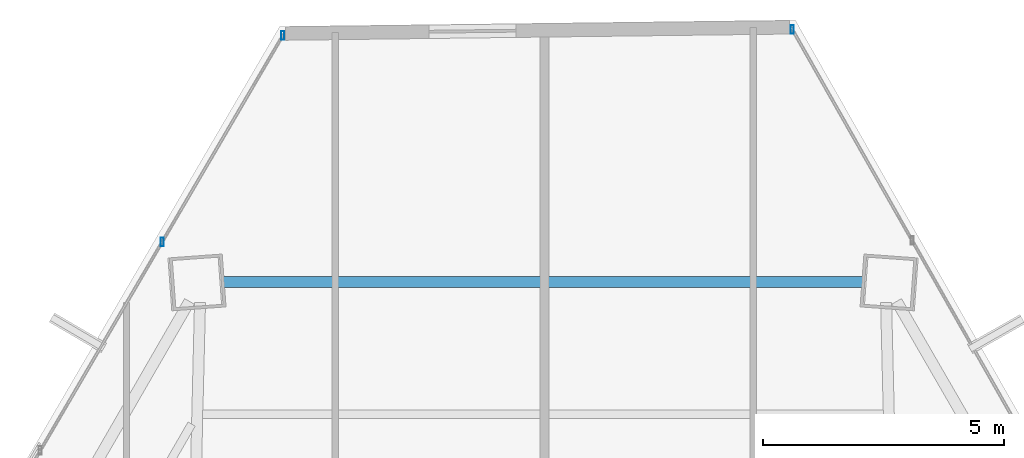
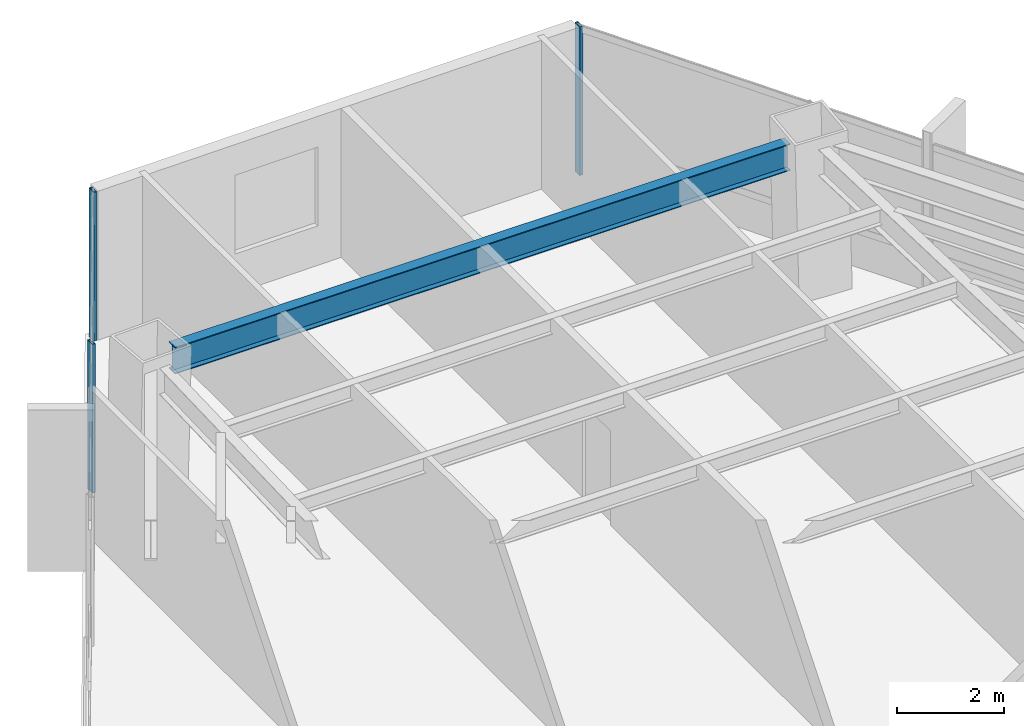
# One storey, part 27 of 37: 3 members, 1 beam, 2 elements without a shape of their own.
"""IFC4 building model written with IfcOpenShell, lengths in metres."""

from ifc_helpers import new_model, si_unit, direction, frame, origin, origin_2d, place, context, subcontext, project, spatial, hollow_rectangle, i_section, extrude, source, transform, mapped, material, material_profile, profile_set, type_object, type_shapes, element, aggregate, save


model = new_model("IFC4")

# Units and contexts
model_context = context("Model", 3, precision=1e-05, world=origin(), true_north=direction((0.0, 1.0)))
body_context = subcontext(model_context, "Body", "Model", "MODEL_VIEW")
ifc_project = project(units=[si_unit("LENGTHUNIT", "METRE"), si_unit("AREAUNIT", "SQUARE_METRE"), si_unit("VOLUMEUNIT", "CUBIC_METRE"), si_unit("PLANEANGLEUNIT", "RADIAN"), si_unit("MASSUNIT", "GRAM", prefix="KILO")], contexts=[model_context])

# Site, building, storey
site_placement = place(None, origin())
site = spatial("IfcSite", under=ifc_project, at=site_placement, CompositionType="ELEMENT")
building_placement = place(site_placement, origin())
building = spatial("IfcBuilding", under=site, at=building_placement, Name="Caelisora Broadcast Tower", CompositionType="ELEMENT")
storey_placement = place(building_placement, frame((0.0, 0.0, 116.35009765625)))
storey = spatial("IfcBuildingStorey", under=building, at=storey_placement, Name="L30", CompositionType="ELEMENT", Elevation=116.35009765625)

# Beam
ifc_material_1 = material(Name="Steel Grade 350 (AS/NZS 3679.1)", Category="steel")
ifc_material_profile_1 = material_profile(ifc_material_1, i_section(OverallWidth=0.22900390625, OverallDepth=0.611572265625, WebThickness=0.011962890625, FlangeThickness=0.01953125, at=origin_2d()), Name="Steel Grade 350 (AS/NZS 3679.1)")
ifc_profile_set_1 = profile_set([ifc_material_profile_1], Name="Steel Grade 350 (AS/NZS 3679.1)")
beam_type = type_object("IfcBeamType", Name="PG03", PredefinedType="BEAM", material=ifc_profile_set_1)
shared_shape_1 = source(origin(), body_context, "Body", "SweptSolid", [
    extrude(i_section(OverallWidth=0.22900390625, OverallDepth=0.611572265625, WebThickness=0.011962890625, FlangeThickness=0.01953125, at=origin_2d()), origin(), (0.0, 0.0, 1.0), 13.28857421875),
])
type_shapes(beam_type, [shared_shape_1])
beam_placement = place(storey_placement, frame((44.644287109375, 46.4345703125, 3.093994140625), z_axis=(-1.0, 0.0, 0.0), x_axis=(0.0, -1.0, 0.0)))
element("IfcBeam", 1, at=beam_placement, inside=storey, type_object=beam_type, Name="L30 beam PG03", PredefinedType="BEAM", context=body_context, shape_type="MappedRepresentation", body=[
    mapped(shared_shape_1, transform((0.0, 0.0, 0.0), scale=1.0)),
])

# Curtain wall, member
ifc_material_2 = material(Name="Unitised Aluminium and Low-E Glass Curtain Wall", Category="glass")
curtain_wall_type = type_object("IfcCurtainWallType", Name="CW-Z2", PredefinedType="NOTDEFINED", material=ifc_material_2)
curtain_wall_1_placement = place(storey_placement, origin())
curtain_wall_1 = element("IfcCurtainWall", 2, at=curtain_wall_1_placement, inside=storey, type_object=curtain_wall_type, Name="L30 curtain wall CW-Z2", PredefinedType="NOTDEFINED")
ifc_material_3 = material(Name="Aluminium 6063-T6 Anodised Terracotta Bronze", Category="aluminium")
ifc_material_profile_2 = material_profile(ifc_material_3, hollow_rectangle(XDim=0.06494140625, YDim=0.179931640625, WallThickness=0.00341796875, at=origin_2d()), Name="Aluminium 6063-T6 Anodised Terracotta Bronze")
ifc_profile_set_2 = profile_set([ifc_material_profile_2], Name="Aluminium 6063-T6 Anodised Terracotta Bronze")
member_type = type_object("IfcMemberType", Name="CWM-02", PredefinedType="MULLION", material=ifc_profile_set_2)
shared_shape_2 = source(origin(), body_context, "Body", "SweptSolid", [
    extrude(hollow_rectangle(XDim=0.06494140625, YDim=0.179931640625, WallThickness=0.00341796875, at=origin_2d()), origin(), (0.0, 0.0, 1.0), 3.39990234375),
])
type_shapes(member_type, [shared_shape_2])
member_1_placement = place(storey_placement, frame((43.168701171875, 51.677490234375, 0.0), z_axis=(0.0, 0.0, 1.0), x_axis=(1.0, 0.0, 0.0)))
member_1 = element("IfcMember", 3, at=member_1_placement, type_object=member_type, Name="L30-CW-B01 mullion #0", PredefinedType="MULLION", context=body_context, shape_type="MappedRepresentation", body=[
    mapped(shared_shape_2, transform((0.0, 0.0, 0.0), scale=1.0)),
])
aggregate(curtain_wall_1, [member_1])

# Curtain wall, members
curtain_wall_2_placement = place(storey_placement, origin())
curtain_wall_2 = element("IfcCurtainWall", 4, at=curtain_wall_2_placement, inside=storey, type_object=curtain_wall_type, Name="L30 curtain wall CW-Z2", PredefinedType="NOTDEFINED")
member_2_placement = place(storey_placement, frame((30.10009765625, 47.267822265625, 0.0), z_axis=(0.0, 0.0, 1.0), x_axis=(1.0, 0.0, 0.0)))
member_2 = element("IfcMember", 5, at=member_2_placement, type_object=member_type, Name="L30-CW-B11 mullion #2", PredefinedType="MULLION", context=body_context, shape_type="MappedRepresentation", body=[
    mapped(shared_shape_2, transform((0.0, 0.0, 0.0), scale=1.0)),
])
member_3_placement = place(storey_placement, frame((32.600830078125, 51.5478515625, 0.0), z_axis=(0.0, 0.0, 1.0), x_axis=(1.0, 0.0, 0.0)))
member_3 = element("IfcMember", 6, at=member_3_placement, type_object=member_type, Name="L30-CW-B11 mullion #3", PredefinedType="MULLION", context=body_context, shape_type="MappedRepresentation", body=[
    mapped(shared_shape_2, transform((0.0, 0.0, 0.0), scale=1.0)),
])
aggregate(curtain_wall_2, [member_2, member_3])

save(model, "model.ifc")
